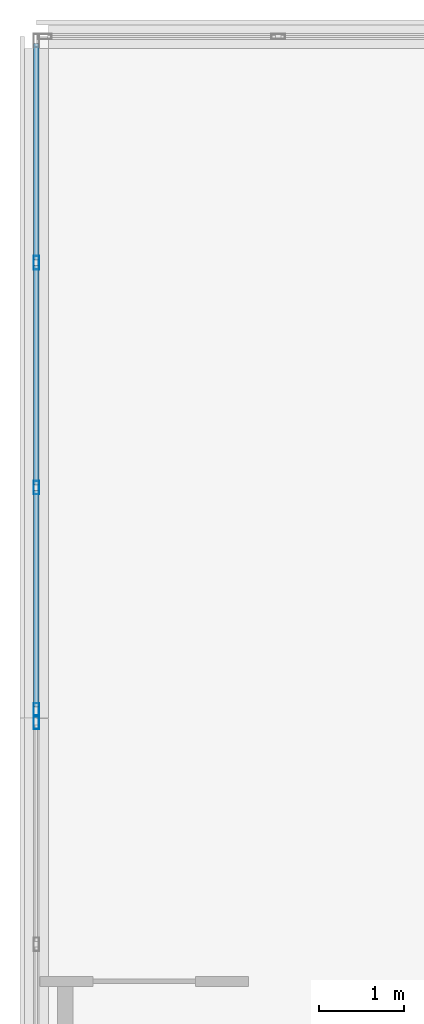
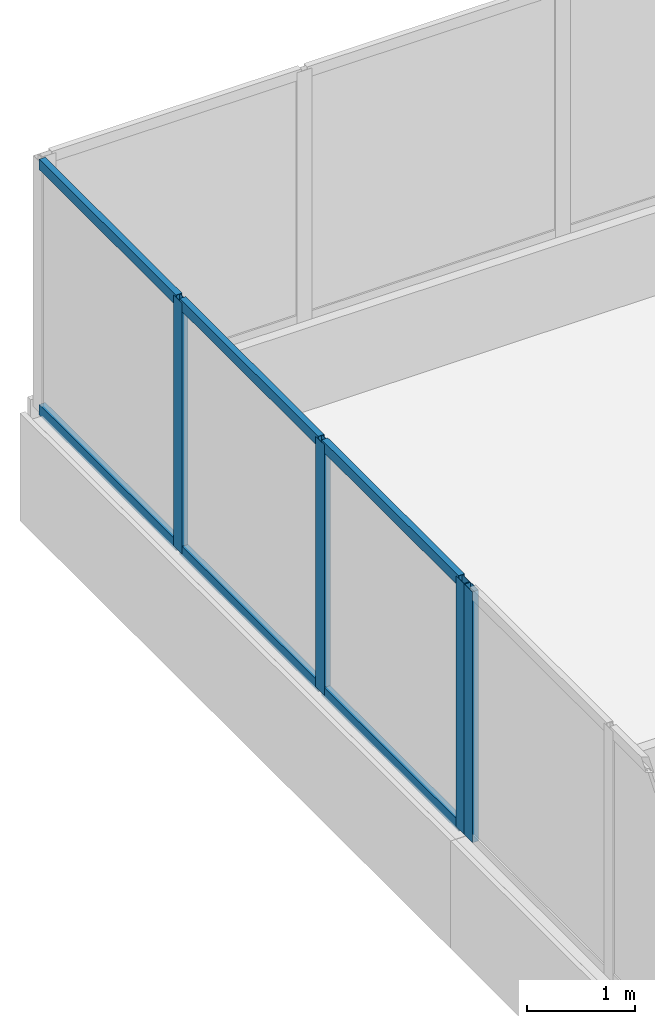
# One storey, part 11 of 66: 10 members, 2 elements without a shape of their own.
"""IFC4 building model written with IfcOpenShell, lengths in metres."""

from ifc_helpers import new_model, si_unit, direction, frame, origin, origin_2d, place, context, subcontext, project, spatial, hollow_rectangle, extrude, material, material_profile, profile_set, type_object, element, aggregate, save


model = new_model("IFC4")

# Units and contexts
model_context = context("Model", 3, precision=1e-05, world=origin(), true_north=direction((0.0, 1.0)))
body_context = subcontext(model_context, "Body", "Model", "MODEL_VIEW")
ifc_project = project(units=[si_unit("LENGTHUNIT", "METRE"), si_unit("AREAUNIT", "SQUARE_METRE"), si_unit("VOLUMEUNIT", "CUBIC_METRE"), si_unit("PLANEANGLEUNIT", "RADIAN"), si_unit("MASSUNIT", "GRAM", prefix="KILO")], contexts=[model_context])

# Site, building, storey
site_placement = place(None, origin())
site = spatial("IfcSite", under=ifc_project, at=site_placement, CompositionType="ELEMENT")
building_placement = place(site_placement, origin())
building = spatial("IfcBuilding", under=site, at=building_placement, Name="Selatvlak General Hospital", CompositionType="ELEMENT")
storey_placement = place(building_placement, frame((0.0, 0.0, 31.35009765625)))
storey = spatial("IfcBuildingStorey", under=building, at=storey_placement, Name="L07", CompositionType="ELEMENT", Elevation=31.35009765625)

# Curtain wall, member
ifc_material_1 = material(Name="Solar-control Low-E double glazing", Category="glass")
curtain_wall_type_1 = type_object("IfcCurtainWallType", Name="CW-CW-01", PredefinedType="USERDEFINED", material=ifc_material_1)
curtain_wall_1_placement = place(storey_placement, origin())
curtain_wall_1 = element("IfcCurtainWall", 1, at=curtain_wall_1_placement, inside=storey, type_object=curtain_wall_type_1, Name="Glazed facade curtain wall CW-L07-0641", ObjectType="UNITISED CURTAIN WALL", PredefinedType="USERDEFINED")
ifc_material_2 = material(Name="Dark anodised aluminium mullion", Category="aluminium")
ifc_material_profile_1 = material_profile(ifc_material_2, hollow_rectangle(XDim=0.06494140625, YDim=0.159912109375, WallThickness=0.00390625, at=origin_2d()), Name="AL-MUL 65x160x4")
ifc_profile_set_1 = profile_set([ifc_material_profile_1], Name="Dark anodised aluminium mullion")
member_type_1 = type_object("IfcMemberType", Name="CWM-01", PredefinedType="MULLION", material=ifc_profile_set_1)
member_1_placement = place(storey_placement, frame((22.800048828125, 111.951416015625, 0.93994140625), z_axis=(0.0, 0.0, 1.0), x_axis=(-1.0, 0.0, 0.0)))
member_1 = element("IfcMember", 2, at=member_1_placement, type_object=member_type_1, Name="CW-01 mullion 4", PredefinedType="MULLION", context=body_context, shape_type="SweptSolid", body=[
    extrude(hollow_rectangle(XDim=0.06494140625, YDim=0.159912109375, WallThickness=0.00390625, at=origin_2d()), origin(), (0.0, 0.0, 1.0), 2.844970703125),
])
aggregate(curtain_wall_1, [member_1])

# Curtain wall, members
curtain_wall_type_2 = type_object("IfcCurtainWallType", Name="CW-CW-02", PredefinedType="USERDEFINED", material=ifc_material_1)
curtain_wall_2_placement = place(storey_placement, origin())
curtain_wall_2 = element("IfcCurtainWall", 3, at=curtain_wall_2_placement, inside=storey, type_object=curtain_wall_type_2, Name="Glazed facade curtain wall CW-L07-0642", ObjectType="UNITISED CURTAIN WALL", PredefinedType="USERDEFINED")
member_2_placement = place(storey_placement, frame((22.800048828125, 112.096435546875, 0.93994140625), z_axis=(0.0, 0.0, 1.0), x_axis=(-1.0, 0.0, 0.0)))
member_2 = element("IfcMember", 4, at=member_2_placement, type_object=member_type_1, Name="CW-02 mullion 1", PredefinedType="MULLION", context=body_context, shape_type="SweptSolid", body=[
    extrude(hollow_rectangle(XDim=0.06494140625, YDim=0.159912109375, WallThickness=0.00390625, at=origin_2d()), origin(), (0.0, 0.0, 1.0), 2.844970703125),
])
member_3_placement = place(storey_placement, frame((22.800048828125, 114.7041015625, 0.93994140625), z_axis=(0.0, 0.0, 1.0), x_axis=(-1.0, 0.0, 0.0)))
member_3 = element("IfcMember", 5, at=member_3_placement, type_object=member_type_1, Name="CW-02 mullion 2", PredefinedType="MULLION", context=body_context, shape_type="SweptSolid", body=[
    extrude(hollow_rectangle(XDim=0.06494140625, YDim=0.159912109375, WallThickness=0.00390625, at=origin_2d()), origin(), (0.0, 0.0, 1.0), 2.844970703125),
])
member_4_placement = place(storey_placement, frame((22.800048828125, 117.343994140625, 0.93994140625), z_axis=(0.0, 0.0, 1.0), x_axis=(-1.0, 0.0, 0.0)))
member_4 = element("IfcMember", 6, at=member_4_placement, type_object=member_type_1, Name="CW-02 mullion 3", PredefinedType="MULLION", context=body_context, shape_type="SweptSolid", body=[
    extrude(hollow_rectangle(XDim=0.06494140625, YDim=0.159912109375, WallThickness=0.00390625, at=origin_2d()), origin(), (0.0, 0.0, 1.0), 2.844970703125),
])
ifc_material_profile_2 = material_profile(ifc_material_2, hollow_rectangle(XDim=0.06494140625, YDim=0.1201171875, WallThickness=0.00390625, at=origin_2d()), Name="AL-TRN 65x120x4")
ifc_profile_set_2 = profile_set([ifc_material_profile_2], Name="Dark anodised aluminium mullion")
member_type_2 = type_object("IfcMemberType", Name="CWT-01", PredefinedType="USERDEFINED", material=ifc_profile_set_2)
member_5_placement = place(storey_placement, frame((22.800048828125, 112.12890625, 0.972412109375), z_axis=(0.0, 1.0, 0.0), x_axis=(-1.0, 0.0, 0.0)))
member_5 = element("IfcMember", 7, at=member_5_placement, type_object=member_type_2, Name="CW-02 transom 1.1", ObjectType="TRANSOM", PredefinedType="USERDEFINED", context=body_context, shape_type="SweptSolid", body=[
    extrude(hollow_rectangle(XDim=0.06494140625, YDim=0.1201171875, WallThickness=0.00390625, at=origin_2d()), origin(), (0.0, 0.0, 1.0), 2.54248046875),
])
member_6_placement = place(storey_placement, frame((22.800048828125, 112.12890625, 3.75244140625), z_axis=(0.0, 1.0, 0.0), x_axis=(-1.0, 0.0, 0.0)))
member_6 = element("IfcMember", 8, at=member_6_placement, type_object=member_type_2, Name="CW-02 transom 1.2", ObjectType="TRANSOM", PredefinedType="USERDEFINED", context=body_context, shape_type="SweptSolid", body=[
    extrude(hollow_rectangle(XDim=0.06494140625, YDim=0.1201171875, WallThickness=0.00390625, at=origin_2d()), origin(), (0.0, 0.0, 1.0), 2.54248046875),
])
member_7_placement = place(storey_placement, frame((22.800048828125, 114.736572265625, 0.972412109375), z_axis=(0.0, 1.0, 0.0), x_axis=(-1.0, 0.0, 0.0)))
member_7 = element("IfcMember", 9, at=member_7_placement, type_object=member_type_2, Name="CW-02 transom 2.1", ObjectType="TRANSOM", PredefinedType="USERDEFINED", context=body_context, shape_type="SweptSolid", body=[
    extrude(hollow_rectangle(XDim=0.06494140625, YDim=0.1201171875, WallThickness=0.00390625, at=origin_2d()), origin(), (0.0, 0.0, 1.0), 2.574951171875),
])
member_8_placement = place(storey_placement, frame((22.800048828125, 114.736572265625, 3.75244140625), z_axis=(0.0, 1.0, 0.0), x_axis=(-1.0, 0.0, 0.0)))
member_8 = element("IfcMember", 10, at=member_8_placement, type_object=member_type_2, Name="CW-02 transom 2.2", ObjectType="TRANSOM", PredefinedType="USERDEFINED", context=body_context, shape_type="SweptSolid", body=[
    extrude(hollow_rectangle(XDim=0.06494140625, YDim=0.1201171875, WallThickness=0.00390625, at=origin_2d()), origin(), (0.0, 0.0, 1.0), 2.574951171875),
])
member_9_placement = place(storey_placement, frame((22.800048828125, 117.37646484375, 0.972412109375), z_axis=(0.0, 1.0, 0.0), x_axis=(-1.0, 0.0, 0.0)))
member_9 = element("IfcMember", 11, at=member_9_placement, type_object=member_type_2, Name="CW-02 transom 3.1", ObjectType="TRANSOM", PredefinedType="USERDEFINED", context=body_context, shape_type="SweptSolid", body=[
    extrude(hollow_rectangle(XDim=0.06494140625, YDim=0.1201171875, WallThickness=0.00390625, at=origin_2d()), origin(), (0.0, 0.0, 1.0), 2.54248046875),
])
member_10_placement = place(storey_placement, frame((22.800048828125, 117.37646484375, 3.75244140625), z_axis=(0.0, 1.0, 0.0), x_axis=(-1.0, 0.0, 0.0)))
member_10 = element("IfcMember", 12, at=member_10_placement, type_object=member_type_2, Name="CW-02 transom 3.2", ObjectType="TRANSOM", PredefinedType="USERDEFINED", context=body_context, shape_type="SweptSolid", body=[
    extrude(hollow_rectangle(XDim=0.06494140625, YDim=0.1201171875, WallThickness=0.00390625, at=origin_2d()), origin(), (0.0, 0.0, 1.0), 2.54248046875),
])
aggregate(curtain_wall_2, [member_2, member_3, member_4, member_5, member_6, member_7, member_8, member_9, member_10])

save(model, "model.ifc")
